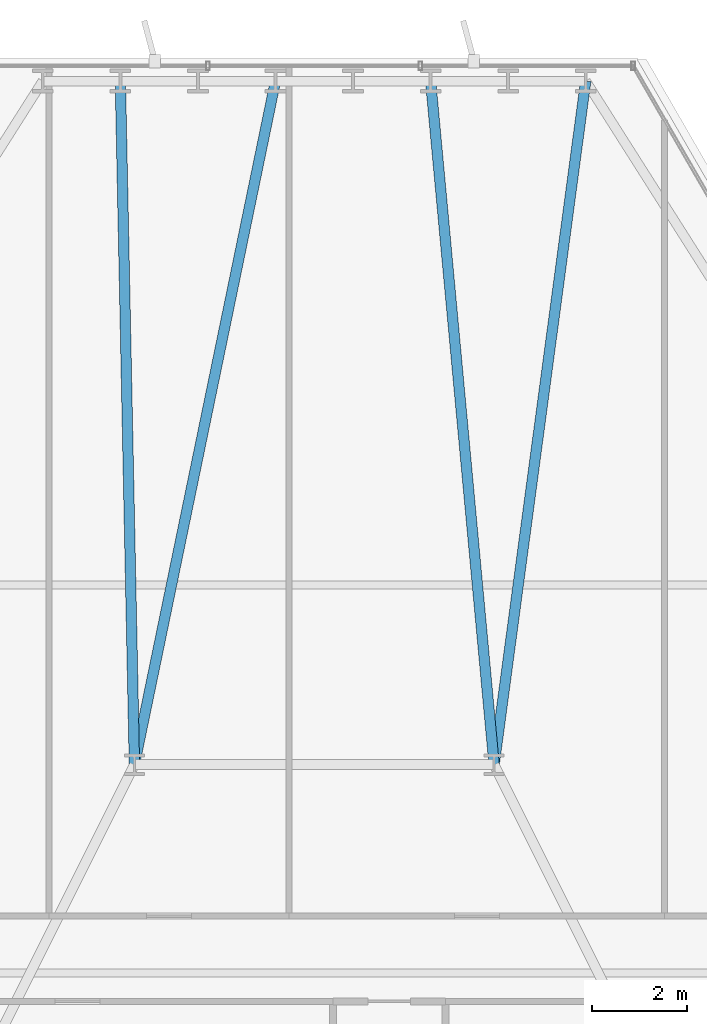
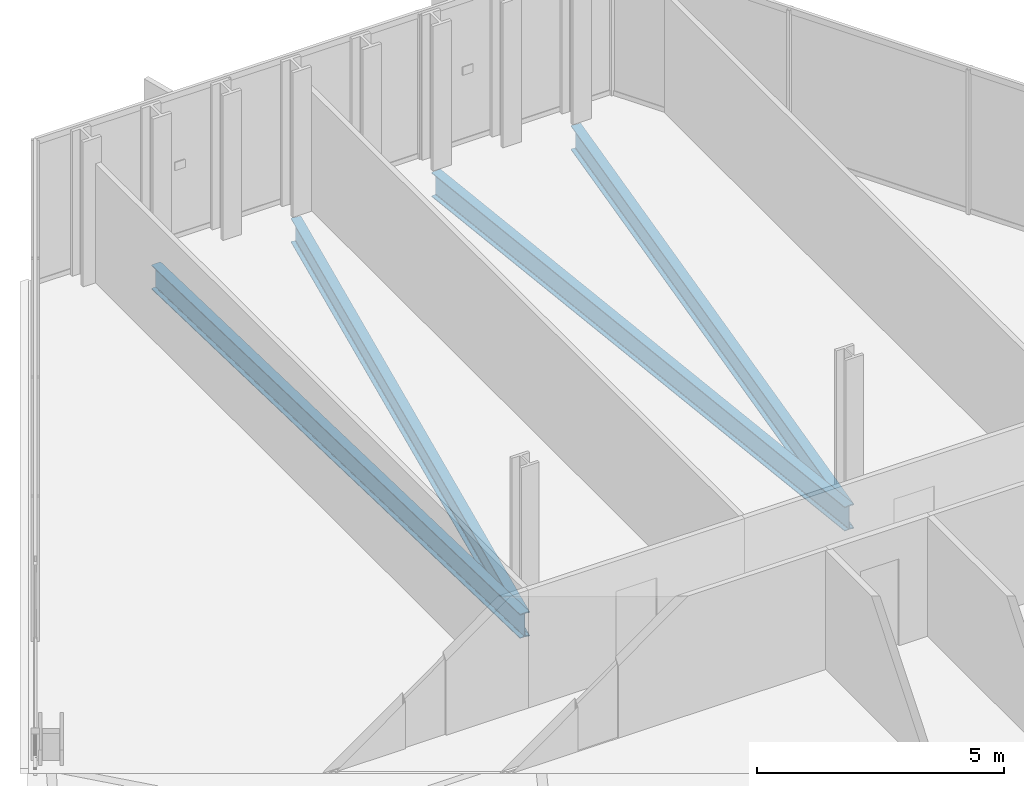
# One storey, part 21 of 31: 4 beams.
"""IFC4 building model written with IfcOpenShell, lengths in metres."""

from ifc_helpers import new_model, si_unit, direction, frame, origin, origin_2d, place, context, subcontext, project, spatial, i_section, extrude, material, material_profile, profile_set, type_object, element, save


model = new_model("IFC4")

# Units and contexts
model_context = context("Model", 3, precision=1e-05, world=origin(), true_north=direction((0.0, 1.0)))
body_context = subcontext(model_context, "Body", "Model", "MODEL_VIEW")
ifc_project = project(units=[si_unit("LENGTHUNIT", "METRE"), si_unit("AREAUNIT", "SQUARE_METRE"), si_unit("VOLUMEUNIT", "CUBIC_METRE"), si_unit("PLANEANGLEUNIT", "RADIAN"), si_unit("MASSUNIT", "GRAM", prefix="KILO")], contexts=[model_context])

# Site, building, storey
site_placement = place(None, origin())
site = spatial("IfcSite", under=ifc_project, at=site_placement, CompositionType="ELEMENT")
building_placement = place(site_placement, origin())
building = spatial("IfcBuilding", under=site, at=building_placement, Name="Ndaravel Arena Tower", CompositionType="ELEMENT")
storey_placement = place(building_placement, frame((0.0, 0.0, 100.60009765625)))
storey = spatial("IfcBuildingStorey", under=building, at=storey_placement, Name="L23", CompositionType="ELEMENT", Elevation=100.60009765625)

# Beams
ifc_material = material(Name="Steel S355", Category="steel")
ifc_material_profile = material_profile(ifc_material, i_section(OverallWidth=0.219970703125, OverallDepth=0.60009765625, WebThickness=0.011962890625, FlangeThickness=0.01904296875, FilletRadius=0.02392578125, at=origin_2d()), Name="IPE 600")
ifc_profile_set = profile_set([ifc_material_profile], Name="Steel S355")
beam_type = type_object("IfcBeamType", Name="BM-GIRD-IPE600", PredefinedType="BEAM", material=ifc_profile_set)
beam_1_placement = place(storey_placement, frame((47.7353515625, 45.642578125, -0.52001953125), z_axis=(-0.132812285384, -0.99114120934, 0.0), x_axis=(0.99114120934, -0.132812285384, 0.0)))
element("IfcBeam", 1, at=beam_1_placement, inside=storey, type_object=beam_type, Name="L23 Radial Floor Girder FG-11", PredefinedType="BEAM", context=body_context, shape_type="SweptSolid", body=[
    extrude(i_section(OverallWidth=0.219970703125, OverallDepth=0.60009765625, WebThickness=0.011962890625, FlangeThickness=0.01904296875, FilletRadius=0.02392578125, at=origin_2d()), origin(), (0.0, 0.0, 1.0), 14.57177734375),
])
beam_2_placement = place(storey_placement, frame((44.4580078125, 45.642578125, -0.52001953125), z_axis=(0.092523632985, -0.995710488716, 0.0), x_axis=(0.995710488716, 0.092523632985, 0.0)))
element("IfcBeam", 2, at=beam_2_placement, inside=storey, type_object=beam_type, Name="L23 Radial Floor Girder FG-13", PredefinedType="BEAM", context=body_context, shape_type="SweptSolid", body=[
    extrude(i_section(OverallWidth=0.219970703125, OverallDepth=0.60009765625, WebThickness=0.011962890625, FlangeThickness=0.01904296875, FilletRadius=0.02392578125, at=origin_2d()), origin(), (0.0, 0.0, 1.0), 14.5048828125),
])
beam_3_placement = place(storey_placement, frame((41.1806640625, 45.642578125, -0.52001953125), z_axis=(-0.202123286894, -0.97936008541, 0.0), x_axis=(0.97936008541, -0.202123286894, 0.0)))
element("IfcBeam", 3, at=beam_3_placement, inside=storey, type_object=beam_type, Name="L23 Radial Floor Girder FG-15", PredefinedType="BEAM", context=body_context, shape_type="SweptSolid", body=[
    extrude(i_section(OverallWidth=0.219970703125, OverallDepth=0.60009765625, WebThickness=0.011962890625, FlangeThickness=0.01904296875, FilletRadius=0.02392578125, at=origin_2d()), origin(), (0.0, 0.0, 1.0), 14.7470703125),
])
beam_4_placement = place(storey_placement, frame((37.9033203125, 45.642578125, -0.52001953125), z_axis=(0.020534236315, -0.999789150341, 0.0), x_axis=(0.999789150341, 0.020534236315, 0.0)))
element("IfcBeam", 4, at=beam_4_placement, inside=storey, type_object=beam_type, Name="L23 Radial Floor Girder FG-17", PredefinedType="BEAM", context=body_context, shape_type="SweptSolid", body=[
    extrude(i_section(OverallWidth=0.219970703125, OverallDepth=0.60009765625, WebThickness=0.011962890625, FlangeThickness=0.01904296875, FilletRadius=0.02392578125, at=origin_2d()), origin(), (0.0, 0.0, 1.0), 14.445556640625),
])

save(model, "model.ifc")
